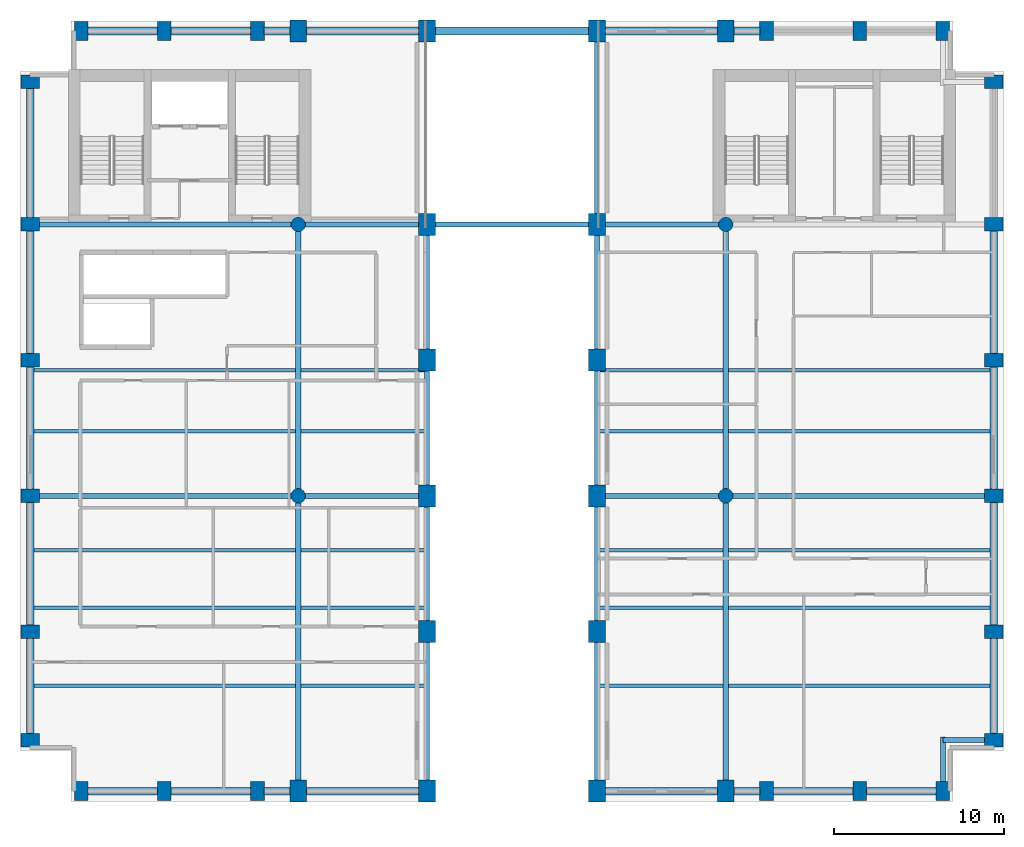
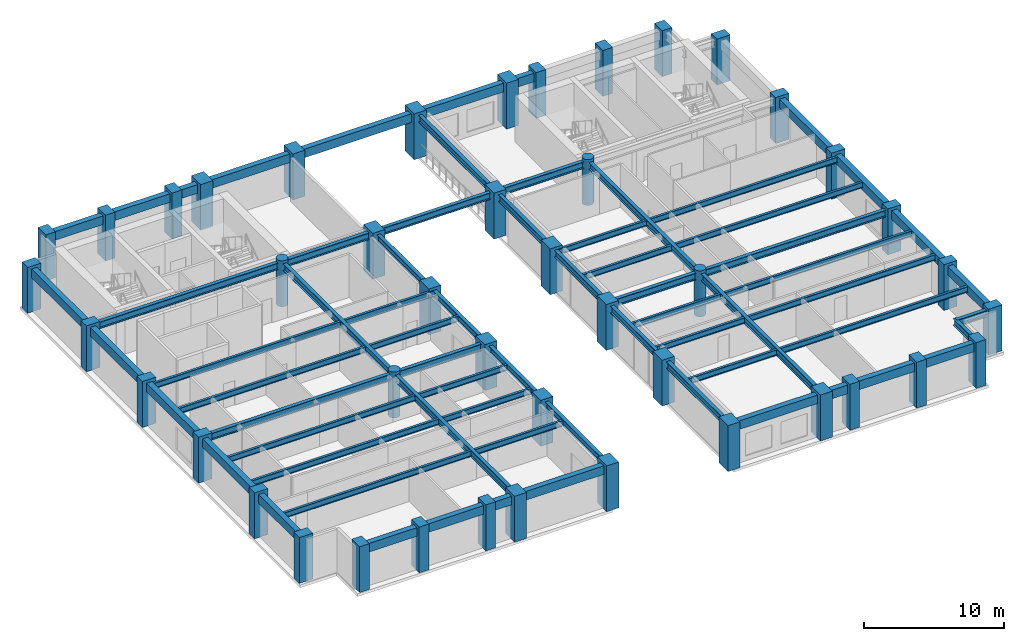
# One storey, part 1 of 8: 63 beams, 44 columns.
"""IFC4 building model written with IfcOpenShell, lengths in metres."""

from ifc_helpers import new_model, si_unit, direction, frame, origin, origin_2d, place, context, subcontext, project, spatial, rectangle, circle, i_section, extrude, material, material_profile, profile_set, type_object, element, save


model = new_model("IFC4")

# Units and contexts
model_context = context("Model", 3, precision=1e-05, world=origin(), true_north=direction((0.0, 1.0)))
body_context = subcontext(model_context, "Body", "Model", "MODEL_VIEW")
ifc_project = project(units=[si_unit("LENGTHUNIT", "METRE"), si_unit("AREAUNIT", "SQUARE_METRE"), si_unit("VOLUMEUNIT", "CUBIC_METRE"), si_unit("PLANEANGLEUNIT", "RADIAN"), si_unit("MASSUNIT", "GRAM", prefix="KILO")], contexts=[model_context])

# Site, building, storey
site_placement = place(None, origin())
site = spatial("IfcSite", under=ifc_project, at=site_placement, CompositionType="ELEMENT")
building_placement = place(site_placement, origin())
building = spatial("IfcBuilding", under=site, at=building_placement, Name="Sulina Concourse Tower", CompositionType="ELEMENT")
storey_placement = place(building_placement, frame((0.0, 0.0, 194.60009765625)))
storey = spatial("IfcBuildingStorey", under=building, at=storey_placement, Name="L47", CompositionType="ELEMENT", Elevation=194.60009765625)

# Columns
ifc_material_1 = material(Name="Precast concrete C60/75", Category="concrete")
ifc_material_profile_1 = material_profile(ifc_material_1, rectangle(XDim=0.800048828125, YDim=1.10009765625, at=origin_2d()), Name="PC 800x1100")
ifc_profile_set_1 = profile_set([ifc_material_profile_1], Name="Precast concrete C60/75")
column_type_1 = type_object("IfcColumnType", Name="Precast Tube Pier Zone 3 800x1100", PredefinedType="COLUMN", material=ifc_profile_set_1)
for number, where, z_axis, x_axis, name in (
    (1, (3.60009765625, 0.60009765625, 0.0), (0.0, 0.0, 1.0), (1.0, 0.0, 0.0), "L47 structural column TP-S-36"),
    (2, (3.60009765625, 45.39990234375, 0.0), (0.0, 0.0, 1.0), (1.0, 0.0, 0.0), "L47 structural column TP-N-36"),
    (3, (8.5, 0.60009765625, 0.0), (0.0, 0.0, 1.0), (1.0, 0.0, 0.0), "L47 structural column TP-S-85"),
    (4, (8.5, 45.39990234375, 0.0), (0.0, 0.0, 1.0), (1.0, 0.0, 0.0), "L47 structural column TP-N-85"),
    (5, (14.0, 0.60009765625, 0.0), (0.0, 0.0, 1.0), (1.0, 0.0, 0.0), "L47 structural column TP-S-140"),
    (6, (14.0, 45.39990234375, 0.0), (0.0, 0.0, 1.0), (1.0, 0.0, 0.0), "L47 structural column TP-N-140"),
    (7, (44.0, 0.60009765625, 0.0), (0.0, 0.0, 1.0), (1.0, 0.0, 0.0), "L47 structural column TP-S-440"),
    (8, (44.0, 45.39990234375, 0.0), (0.0, 0.0, 1.0), (1.0, 0.0, 0.0), "L47 structural column TP-N-440"),
    (9, (49.5, 0.60009765625, 0.0), (0.0, 0.0, 1.0), (1.0, 0.0, 0.0), "L47 structural column TP-S-495"),
    (10, (49.5, 45.39990234375, 0.0), (0.0, 0.0, 1.0), (1.0, 0.0, 0.0), "L47 structural column TP-N-495"),
    (11, (54.39990234375, 0.60009765625, 0.0), (0.0, 0.0, 1.0), (1.0, 0.0, 0.0), "L47 structural column TP-S-544"),
    (12, (54.39990234375, 45.39990234375, 0.0), (0.0, 0.0, 1.0), (1.0, 0.0, 0.0), "L47 structural column TP-N-544"),
    (13, (0.60009765625, 3.60009765625, 0.0), (0.0, 0.0, 1.0), (0.0, 1.0, 0.0), "L47 structural column TP-W-36"),
    (14, (57.39990234375, 3.60009765625, 0.0), (0.0, 0.0, 1.0), (0.0, 1.0, 0.0), "L47 structural column TP-E-36"),
    (15, (0.60009765625, 10.0, 0.0), (0.0, 0.0, 1.0), (0.0, 1.0, 0.0), "L47 structural column TP-W-100"),
    (16, (57.39990234375, 10.0, 0.0), (0.0, 0.0, 1.0), (0.0, 1.0, 0.0), "L47 structural column TP-E-100"),
    (17, (0.60009765625, 18.0, 0.0), (0.0, 0.0, 1.0), (0.0, 1.0, 0.0), "L47 structural column TP-W-180"),
    (18, (57.39990234375, 18.0, 0.0), (0.0, 0.0, 1.0), (0.0, 1.0, 0.0), "L47 structural column TP-E-180"),
    (19, (0.60009765625, 26.0, 0.0), (0.0, 0.0, 1.0), (0.0, 1.0, 0.0), "L47 structural column TP-W-260"),
    (20, (57.39990234375, 26.0, 0.0), (0.0, 0.0, 1.0), (0.0, 1.0, 0.0), "L47 structural column TP-E-260"),
    (21, (0.60009765625, 34.0, 0.0), (0.0, 0.0, 1.0), (0.0, 1.0, 0.0), "L47 structural column TP-W-340"),
    (22, (57.39990234375, 34.0, 0.0), (0.0, 0.0, 1.0), (0.0, 1.0, 0.0), "L47 structural column TP-E-340"),
    (23, (0.60009765625, 42.39990234375, 0.0), (0.0, 0.0, 1.0), (0.0, 1.0, 0.0), "L47 structural column TP-W-424"),
    (24, (57.39990234375, 42.39990234375, 0.0), (0.0, 0.0, 1.0), (0.0, 1.0, 0.0), "L47 structural column TP-E-424"),
):
    element("IfcColumn", number, at=place(storey_placement, frame(where, z_axis=z_axis, x_axis=x_axis)), inside=storey, type_object=column_type_1, Name=name, PredefinedType="COLUMN", context=body_context, shape_type="SweptSolid", body=[
        extrude(rectangle(XDim=0.800048828125, YDim=1.10009765625, at=origin_2d()), origin(), (0.0, 0.0, 1.0), 4.0),
    ])
ifc_material_2 = material(Name="Concrete C50/60", Category="concrete")
ifc_material_profile_2 = material_profile(ifc_material_2, circle(Radius=0.425048828125, at=origin_2d()), Name="RC D850")
ifc_profile_set_2 = profile_set([ifc_material_profile_2], Name="Concrete C50/60")
column_type_2 = type_object("IfcColumnType", Name="Upper Interior Circular Column D850", PredefinedType="COLUMN", material=ifc_profile_set_2)
for number, where, z_axis, x_axis, name in (
    (25, (16.39990234375, 18.0, 0.0), (0.0, 0.0, 1.0), (1.0, 0.0, 0.0), "L47 structural column IC-M-164"),
    (26, (16.39990234375, 34.0, 0.0), (0.0, 0.0, 1.0), (1.0, 0.0, 0.0), "L47 structural column IC-N-164"),
    (27, (41.60009765625, 18.0, 0.0), (0.0, 0.0, 1.0), (1.0, 0.0, 0.0), "L47 structural column IC-M-416"),
    (28, (41.60009765625, 34.0, 0.0), (0.0, 0.0, 1.0), (1.0, 0.0, 0.0), "L47 structural column IC-N-416"),
):
    element("IfcColumn", number, at=place(storey_placement, frame(where, z_axis=z_axis, x_axis=x_axis)), inside=storey, type_object=column_type_2, Name=name, PredefinedType="COLUMN", context=body_context, shape_type="SweptSolid", body=[
        extrude(circle(Radius=0.425048828125, at=origin_2d()), origin(), (0.0, 0.0, 1.0), 4.0),
    ])
ifc_material_3 = material(Name="Concrete C60/75", Category="concrete")
ifc_material_profile_3 = material_profile(ifc_material_3, rectangle(XDim=1.0, YDim=1.300048828125, at=origin_2d()), Name="RC 1000x1300")
ifc_profile_set_3 = profile_set([ifc_material_profile_3], Name="Concrete C60/75")
column_type_3 = type_object("IfcColumnType", Name="Upper Portal Column 1000x1300", PredefinedType="COLUMN", material=ifc_profile_set_3)
for number, where, z_axis, x_axis, name in (
    (29, (16.39990234375, 0.60009765625, 0.0), (0.0, 0.0, 1.0), (1.0, 0.0, 0.0), "L47 structural column TP-S-164"),
    (30, (16.39990234375, 45.39990234375, 0.0), (0.0, 0.0, 1.0), (1.0, 0.0, 0.0), "L47 structural column TP-N-164"),
    (31, (24.0, 0.60009765625, 0.0), (0.0, 0.0, 1.0), (1.0, 0.0, 0.0), "L47 structural column TP-S-240"),
    (32, (24.0, 45.39990234375, 0.0), (0.0, 0.0, 1.0), (1.0, 0.0, 0.0), "L47 structural column TP-N-240"),
    (33, (34.0, 0.60009765625, 0.0), (0.0, 0.0, 1.0), (1.0, 0.0, 0.0), "L47 structural column TP-S-340"),
    (34, (34.0, 45.39990234375, 0.0), (0.0, 0.0, 1.0), (1.0, 0.0, 0.0), "L47 structural column TP-N-340"),
    (35, (41.60009765625, 0.60009765625, 0.0), (0.0, 0.0, 1.0), (1.0, 0.0, 0.0), "L47 structural column TP-S-416"),
    (36, (41.60009765625, 45.39990234375, 0.0), (0.0, 0.0, 1.0), (1.0, 0.0, 0.0), "L47 structural column TP-N-416"),
    (37, (24.0, 10.0, 0.0), (0.0, 0.0, 1.0), (1.0, 0.0, 0.0), "L47 structural column UP-FW-10"),
    (38, (34.0, 10.0, 0.0), (0.0, 0.0, 1.0), (1.0, 0.0, 0.0), "L47 structural column UP-FE-10"),
    (39, (24.0, 18.0, 0.0), (0.0, 0.0, 1.0), (1.0, 0.0, 0.0), "L47 structural column UP-FW-18"),
    (40, (34.0, 18.0, 0.0), (0.0, 0.0, 1.0), (1.0, 0.0, 0.0), "L47 structural column UP-FE-18"),
    (41, (24.0, 26.0, 0.0), (0.0, 0.0, 1.0), (1.0, 0.0, 0.0), "L47 structural column UP-FW-26"),
    (42, (34.0, 26.0, 0.0), (0.0, 0.0, 1.0), (1.0, 0.0, 0.0), "L47 structural column UP-FE-26"),
    (43, (24.0, 34.0, 0.0), (0.0, 0.0, 1.0), (1.0, 0.0, 0.0), "L47 structural column UP-FW-34"),
    (44, (34.0, 34.0, 0.0), (0.0, 0.0, 1.0), (1.0, 0.0, 0.0), "L47 structural column UP-FE-34"),
):
    element("IfcColumn", number, at=place(storey_placement, frame(where, z_axis=z_axis, x_axis=x_axis)), inside=storey, type_object=column_type_3, Name=name, PredefinedType="COLUMN", context=body_context, shape_type="SweptSolid", body=[
        extrude(rectangle(XDim=1.0, YDim=1.300048828125, at=origin_2d()), origin(), (0.0, 0.0, 1.0), 4.0),
    ])

# Beams
ifc_material_4 = material(Name="Steel S355", Category="steel")
ifc_material_profile_4 = material_profile(ifc_material_4, i_section(OverallWidth=0.199951171875, OverallDepth=0.5, WebThickness=0.01025390625, FlangeThickness=0.01611328125, at=origin_2d()), Name="IPE 500")
ifc_profile_set_4 = profile_set([ifc_material_profile_4], Name="Steel S355")
beam_type_1 = type_object("IfcBeamType", Name="Composite Floor Joist IPE500", PredefinedType="JOIST", material=ifc_profile_set_4)
beam_1_placement = place(storey_placement, frame((0.824951171875, 6.800048828125, 3.5), z_axis=(1.0, 0.0, 0.0), x_axis=(0.0, 1.0, 0.0)))
element("IfcBeam", 45, at=beam_1_placement, inside=storey, type_object=beam_type_1, Name="FJ-J06-1-L47", PredefinedType="JOIST", context=body_context, shape_type="SweptSolid", body=[
    extrude(i_section(OverallWidth=0.199951171875, OverallDepth=0.5, WebThickness=0.01025390625, FlangeThickness=0.01611328125, at=origin_2d()), origin(), (0.0, 0.0, 1.0), 15.425048828125),
])
for number, where, z_axis, x_axis, name in (
    (46, (16.550048828125, 6.800048828125, 3.5), (1.0, 0.0, 0.0), (0.0, 1.0, 0.0), "FJ-J06-2-L47"),
    (47, (34.14990234375, 6.800048828125, 3.5), (1.0, 0.0, 0.0), (0.0, 1.0, 0.0), "FJ-J06-4-L47"),
):
    element("IfcBeam", number, at=place(storey_placement, frame(where, z_axis=z_axis, x_axis=x_axis)), inside=storey, type_object=beam_type_1, Name=name, PredefinedType="JOIST", context=body_context, shape_type="SweptSolid", body=[
        extrude(i_section(OverallWidth=0.199951171875, OverallDepth=0.5, WebThickness=0.01025390625, FlangeThickness=0.01611328125, at=origin_2d()), origin(), (0.0, 0.0, 1.0), 7.300048828125),
    ])
for number, where, z_axis, x_axis, name in (
    (48, (41.75, 6.800048828125, 3.5), (1.0, 0.0, 0.0), (0.0, 1.0, 0.0), "FJ-J06-5-L47"),
    (49, (0.824951171875, 11.39990234375, 3.5), (1.0, 0.0, 0.0), (0.0, 1.0, 0.0), "FJ-J11-1-L47"),
):
    element("IfcBeam", number, at=place(storey_placement, frame(where, z_axis=z_axis, x_axis=x_axis)), inside=storey, type_object=beam_type_1, Name=name, PredefinedType="JOIST", context=body_context, shape_type="SweptSolid", body=[
        extrude(i_section(OverallWidth=0.199951171875, OverallDepth=0.5, WebThickness=0.01025390625, FlangeThickness=0.01611328125, at=origin_2d()), origin(), (0.0, 0.0, 1.0), 15.425048828125),
    ])
for number, where, z_axis, x_axis, name in (
    (50, (16.550048828125, 11.39990234375, 3.5), (1.0, 0.0, 0.0), (0.0, 1.0, 0.0), "FJ-J11-2-L47"),
    (51, (34.14990234375, 11.39990234375, 3.5), (1.0, 0.0, 0.0), (0.0, 1.0, 0.0), "FJ-J11-4-L47"),
):
    element("IfcBeam", number, at=place(storey_placement, frame(where, z_axis=z_axis, x_axis=x_axis)), inside=storey, type_object=beam_type_1, Name=name, PredefinedType="JOIST", context=body_context, shape_type="SweptSolid", body=[
        extrude(i_section(OverallWidth=0.199951171875, OverallDepth=0.5, WebThickness=0.01025390625, FlangeThickness=0.01611328125, at=origin_2d()), origin(), (0.0, 0.0, 1.0), 7.300048828125),
    ])
for number, where, z_axis, x_axis, name in (
    (52, (41.75, 11.39990234375, 3.5), (1.0, 0.0, 0.0), (0.0, 1.0, 0.0), "FJ-J11-5-L47"),
    (53, (0.824951171875, 14.800048828125, 3.5), (1.0, 0.0, 0.0), (0.0, 1.0, 0.0), "FJ-J15-1-L47"),
):
    element("IfcBeam", number, at=place(storey_placement, frame(where, z_axis=z_axis, x_axis=x_axis)), inside=storey, type_object=beam_type_1, Name=name, PredefinedType="JOIST", context=body_context, shape_type="SweptSolid", body=[
        extrude(i_section(OverallWidth=0.199951171875, OverallDepth=0.5, WebThickness=0.01025390625, FlangeThickness=0.01611328125, at=origin_2d()), origin(), (0.0, 0.0, 1.0), 15.425048828125),
    ])
for number, where, z_axis, x_axis, name in (
    (54, (16.550048828125, 14.800048828125, 3.5), (1.0, 0.0, 0.0), (0.0, 1.0, 0.0), "FJ-J15-2-L47"),
    (55, (34.14990234375, 14.800048828125, 3.5), (1.0, 0.0, 0.0), (0.0, 1.0, 0.0), "FJ-J15-4-L47"),
):
    element("IfcBeam", number, at=place(storey_placement, frame(where, z_axis=z_axis, x_axis=x_axis)), inside=storey, type_object=beam_type_1, Name=name, PredefinedType="JOIST", context=body_context, shape_type="SweptSolid", body=[
        extrude(i_section(OverallWidth=0.199951171875, OverallDepth=0.5, WebThickness=0.01025390625, FlangeThickness=0.01611328125, at=origin_2d()), origin(), (0.0, 0.0, 1.0), 7.300048828125),
    ])
for number, where, z_axis, x_axis, name in (
    (56, (41.75, 14.800048828125, 3.5), (1.0, 0.0, 0.0), (0.0, 1.0, 0.0), "FJ-J15-5-L47"),
    (57, (0.824951171875, 21.800048828125, 3.5), (1.0, 0.0, 0.0), (0.0, 1.0, 0.0), "FJ-J22-1-L47"),
):
    element("IfcBeam", number, at=place(storey_placement, frame(where, z_axis=z_axis, x_axis=x_axis)), inside=storey, type_object=beam_type_1, Name=name, PredefinedType="JOIST", context=body_context, shape_type="SweptSolid", body=[
        extrude(i_section(OverallWidth=0.199951171875, OverallDepth=0.5, WebThickness=0.01025390625, FlangeThickness=0.01611328125, at=origin_2d()), origin(), (0.0, 0.0, 1.0), 15.425048828125),
    ])
for number, where, z_axis, x_axis, name in (
    (58, (16.550048828125, 21.800048828125, 3.5), (1.0, 0.0, 0.0), (0.0, 1.0, 0.0), "FJ-J22-2-L47"),
    (59, (34.14990234375, 21.800048828125, 3.5), (1.0, 0.0, 0.0), (0.0, 1.0, 0.0), "FJ-J22-4-L47"),
):
    element("IfcBeam", number, at=place(storey_placement, frame(where, z_axis=z_axis, x_axis=x_axis)), inside=storey, type_object=beam_type_1, Name=name, PredefinedType="JOIST", context=body_context, shape_type="SweptSolid", body=[
        extrude(i_section(OverallWidth=0.199951171875, OverallDepth=0.5, WebThickness=0.01025390625, FlangeThickness=0.01611328125, at=origin_2d()), origin(), (0.0, 0.0, 1.0), 7.300048828125),
    ])
for number, where, z_axis, x_axis, name in (
    (60, (41.75, 21.800048828125, 3.5), (1.0, 0.0, 0.0), (0.0, 1.0, 0.0), "FJ-J22-5-L47"),
    (61, (0.824951171875, 25.39990234375, 3.5), (1.0, 0.0, 0.0), (0.0, 1.0, 0.0), "FJ-J25-1-L47"),
):
    element("IfcBeam", number, at=place(storey_placement, frame(where, z_axis=z_axis, x_axis=x_axis)), inside=storey, type_object=beam_type_1, Name=name, PredefinedType="JOIST", context=body_context, shape_type="SweptSolid", body=[
        extrude(i_section(OverallWidth=0.199951171875, OverallDepth=0.5, WebThickness=0.01025390625, FlangeThickness=0.01611328125, at=origin_2d()), origin(), (0.0, 0.0, 1.0), 15.425048828125),
    ])
for number, where, z_axis, x_axis, name in (
    (62, (16.550048828125, 25.39990234375, 3.5), (1.0, 0.0, 0.0), (0.0, 1.0, 0.0), "FJ-J25-2-L47"),
    (63, (34.14990234375, 25.39990234375, 3.5), (1.0, 0.0, 0.0), (0.0, 1.0, 0.0), "FJ-J25-4-L47"),
):
    element("IfcBeam", number, at=place(storey_placement, frame(where, z_axis=z_axis, x_axis=x_axis)), inside=storey, type_object=beam_type_1, Name=name, PredefinedType="JOIST", context=body_context, shape_type="SweptSolid", body=[
        extrude(i_section(OverallWidth=0.199951171875, OverallDepth=0.5, WebThickness=0.01025390625, FlangeThickness=0.01611328125, at=origin_2d()), origin(), (0.0, 0.0, 1.0), 7.300048828125),
    ])
beam_2_placement = place(storey_placement, frame((41.75, 25.39990234375, 3.5), z_axis=(1.0, 0.0, 0.0), x_axis=(0.0, 1.0, 0.0)))
element("IfcBeam", 64, at=beam_2_placement, inside=storey, type_object=beam_type_1, Name="FJ-J25-5-L47", PredefinedType="JOIST", context=body_context, shape_type="SweptSolid", body=[
    extrude(i_section(OverallWidth=0.199951171875, OverallDepth=0.5, WebThickness=0.01025390625, FlangeThickness=0.01611328125, at=origin_2d()), origin(), (0.0, 0.0, 1.0), 15.425048828125),
])
ifc_material_5 = material(Name="Steel S355", Category="steel")
ifc_material_profile_5 = material_profile(ifc_material_5, i_section(OverallWidth=0.300048828125, OverallDepth=0.60009765625, WebThickness=0.015380859375, FlangeThickness=0.030029296875, at=origin_2d()), Name="HE 600 B")
ifc_profile_set_5 = profile_set([ifc_material_profile_5], Name="Steel S355")
beam_type_2 = type_object("IfcBeamType", Name="Floor Primary Girder Zone 3 HE600B", PredefinedType="BEAM", material=ifc_profile_set_5)
beam_3_placement = place(storey_placement, frame((54.39990234375, 3.60009765625, 3.449951171875), z_axis=(1.0, 0.0, 0.0), x_axis=(0.0, 1.0, 0.0)))
element("IfcBeam", 65, at=beam_3_placement, inside=storey, type_object=beam_type_2, Name="TIE-SE-L47", PredefinedType="BEAM", context=body_context, shape_type="SweptSolid", body=[
    extrude(i_section(OverallWidth=0.300048828125, OverallDepth=0.60009765625, WebThickness=0.015380859375, FlangeThickness=0.030029296875, at=origin_2d()), origin(), (0.0, 0.0, 1.0), 2.6201171875),
])
beam_4_placement = place(storey_placement, frame((54.39990234375, 0.97998046875, 3.449951171875), z_axis=(0.0, 1.0, 0.0), x_axis=(-1.0, 0.0, 0.0)))
element("IfcBeam", 66, at=beam_4_placement, inside=storey, type_object=beam_type_2, Name="TIE-SES-L47", PredefinedType="BEAM", context=body_context, shape_type="SweptSolid", body=[
    extrude(i_section(OverallWidth=0.300048828125, OverallDepth=0.60009765625, WebThickness=0.015380859375, FlangeThickness=0.030029296875, at=origin_2d()), origin(), (0.0, 0.0, 1.0), 2.820068359375),
])
beam_5_placement = place(storey_placement, frame((0.97998046875, 18.0, 3.449951171875), z_axis=(1.0, 0.0, 0.0), x_axis=(0.0, 1.0, 0.0)))
element("IfcBeam", 67, at=beam_5_placement, inside=storey, type_object=beam_type_2, Name="FG-EW1-L47", PredefinedType="BEAM", context=body_context, shape_type="SweptSolid", body=[
    extrude(i_section(OverallWidth=0.300048828125, OverallDepth=0.60009765625, WebThickness=0.015380859375, FlangeThickness=0.030029296875, at=origin_2d()), origin(), (0.0, 0.0, 1.0), 15.01513671875),
])
for number, where, z_axis, x_axis, name in (
    (68, (16.804931640625, 18.0, 3.449951171875), (1.0, 0.0, 0.0), (0.0, 1.0, 0.0), "FG-EW2-L47"),
    (69, (34.47998046875, 18.0, 3.449951171875), (1.0, 0.0, 0.0), (0.0, 1.0, 0.0), "FG-EW4-L47"),
):
    element("IfcBeam", number, at=place(storey_placement, frame(where, z_axis=z_axis, x_axis=x_axis)), inside=storey, type_object=beam_type_2, Name=name, PredefinedType="BEAM", context=body_context, shape_type="SweptSolid", body=[
        extrude(i_section(OverallWidth=0.300048828125, OverallDepth=0.60009765625, WebThickness=0.015380859375, FlangeThickness=0.030029296875, at=origin_2d()), origin(), (0.0, 0.0, 1.0), 6.715087890625),
    ])
for number, where, z_axis, x_axis, name in (
    (70, (42.0048828125, 18.0, 3.449951171875), (1.0, 0.0, 0.0), (0.0, 1.0, 0.0), "FG-EW5-L47"),
    (71, (0.97998046875, 34.0, 3.449951171875), (1.0, 0.0, 0.0), (0.0, 1.0, 0.0), "FG-EWN1-L47"),
):
    element("IfcBeam", number, at=place(storey_placement, frame(where, z_axis=z_axis, x_axis=x_axis)), inside=storey, type_object=beam_type_2, Name=name, PredefinedType="BEAM", context=body_context, shape_type="SweptSolid", body=[
        extrude(i_section(OverallWidth=0.300048828125, OverallDepth=0.60009765625, WebThickness=0.015380859375, FlangeThickness=0.030029296875, at=origin_2d()), origin(), (0.0, 0.0, 1.0), 15.01513671875),
    ])
beam_6_placement = place(storey_placement, frame((16.804931640625, 34.0, 3.449951171875), z_axis=(1.0, 0.0, 0.0), x_axis=(0.0, 1.0, 0.0)))
element("IfcBeam", 72, at=beam_6_placement, inside=storey, type_object=beam_type_2, Name="FG-EWN2-L47", PredefinedType="BEAM", context=body_context, shape_type="SweptSolid", body=[
    extrude(i_section(OverallWidth=0.300048828125, OverallDepth=0.60009765625, WebThickness=0.015380859375, FlangeThickness=0.030029296875, at=origin_2d()), origin(), (0.0, 0.0, 1.0), 6.715087890625),
])
beam_7_placement = place(storey_placement, frame((24.47998046875, 34.0, 3.449951171875), z_axis=(1.0, 0.0, 0.0), x_axis=(0.0, 1.0, 0.0)))
element("IfcBeam", 73, at=beam_7_placement, inside=storey, type_object=beam_type_2, Name="FG-EWN3-L47", PredefinedType="BEAM", context=body_context, shape_type="SweptSolid", body=[
    extrude(i_section(OverallWidth=0.300048828125, OverallDepth=0.60009765625, WebThickness=0.015380859375, FlangeThickness=0.030029296875, at=origin_2d()), origin(), (0.0, 0.0, 1.0), 9.0400390625),
])
beam_8_placement = place(storey_placement, frame((34.47998046875, 34.0, 3.449951171875), z_axis=(1.0, 0.0, 0.0), x_axis=(0.0, 1.0, 0.0)))
element("IfcBeam", 74, at=beam_8_placement, inside=storey, type_object=beam_type_2, Name="FG-EWN4-L47", PredefinedType="BEAM", context=body_context, shape_type="SweptSolid", body=[
    extrude(i_section(OverallWidth=0.300048828125, OverallDepth=0.60009765625, WebThickness=0.015380859375, FlangeThickness=0.030029296875, at=origin_2d()), origin(), (0.0, 0.0, 1.0), 6.715087890625),
])
beam_9_placement = place(storey_placement, frame((16.39990234375, 1.080078125, 3.449951171875), z_axis=(0.0, 1.0, 0.0), x_axis=(-1.0, 0.0, 0.0)))
element("IfcBeam", 75, at=beam_9_placement, inside=storey, type_object=beam_type_2, Name="FG-NSA-16-L47", PredefinedType="BEAM", context=body_context, shape_type="SweptSolid", body=[
    extrude(i_section(OverallWidth=0.300048828125, OverallDepth=0.60009765625, WebThickness=0.015380859375, FlangeThickness=0.030029296875, at=origin_2d()), origin(), (0.0, 0.0, 1.0), 16.514892578125),
])
beam_10_placement = place(storey_placement, frame((16.39990234375, 18.405029296875, 3.449951171875), z_axis=(0.0, 1.0, 0.0), x_axis=(-1.0, 0.0, 0.0)))
element("IfcBeam", 76, at=beam_10_placement, inside=storey, type_object=beam_type_2, Name="FG-NSB-16-L47", PredefinedType="BEAM", context=body_context, shape_type="SweptSolid", body=[
    extrude(i_section(OverallWidth=0.300048828125, OverallDepth=0.60009765625, WebThickness=0.015380859375, FlangeThickness=0.030029296875, at=origin_2d()), origin(), (0.0, 0.0, 1.0), 15.18994140625),
])
beam_11_placement = place(storey_placement, frame((24.0, 1.080078125, 3.449951171875), z_axis=(0.0, 1.0, 0.0), x_axis=(-1.0, 0.0, 0.0)))
element("IfcBeam", 77, at=beam_11_placement, inside=storey, type_object=beam_type_2, Name="FG-NSA-24-L47", PredefinedType="BEAM", context=body_context, shape_type="SweptSolid", body=[
    extrude(i_section(OverallWidth=0.300048828125, OverallDepth=0.60009765625, WebThickness=0.015380859375, FlangeThickness=0.030029296875, at=origin_2d()), origin(), (0.0, 0.0, 1.0), 16.43994140625),
])
beam_12_placement = place(storey_placement, frame((24.0, 18.47998046875, 3.449951171875), z_axis=(0.0, 1.0, 0.0), x_axis=(-1.0, 0.0, 0.0)))
element("IfcBeam", 78, at=beam_12_placement, inside=storey, type_object=beam_type_2, Name="FG-NSB-24-L47", PredefinedType="BEAM", context=body_context, shape_type="SweptSolid", body=[
    extrude(i_section(OverallWidth=0.300048828125, OverallDepth=0.60009765625, WebThickness=0.015380859375, FlangeThickness=0.030029296875, at=origin_2d()), origin(), (0.0, 0.0, 1.0), 15.0400390625),
])
beam_13_placement = place(storey_placement, frame((34.0, 1.080078125, 3.449951171875), z_axis=(0.0, 1.0, 0.0), x_axis=(-1.0, 0.0, 0.0)))
element("IfcBeam", 79, at=beam_13_placement, inside=storey, type_object=beam_type_2, Name="FG-NSA-34-L47", PredefinedType="BEAM", context=body_context, shape_type="SweptSolid", body=[
    extrude(i_section(OverallWidth=0.300048828125, OverallDepth=0.60009765625, WebThickness=0.015380859375, FlangeThickness=0.030029296875, at=origin_2d()), origin(), (0.0, 0.0, 1.0), 16.43994140625),
])
beam_14_placement = place(storey_placement, frame((34.0, 18.47998046875, 3.449951171875), z_axis=(0.0, 1.0, 0.0), x_axis=(-1.0, 0.0, 0.0)))
element("IfcBeam", 80, at=beam_14_placement, inside=storey, type_object=beam_type_2, Name="FG-NSB-34-L47", PredefinedType="BEAM", context=body_context, shape_type="SweptSolid", body=[
    extrude(i_section(OverallWidth=0.300048828125, OverallDepth=0.60009765625, WebThickness=0.015380859375, FlangeThickness=0.030029296875, at=origin_2d()), origin(), (0.0, 0.0, 1.0), 15.0400390625),
])
beam_15_placement = place(storey_placement, frame((34.0, 34.47998046875, 3.449951171875), z_axis=(0.0, 1.0, 0.0), x_axis=(-1.0, 0.0, 0.0)))
element("IfcBeam", 81, at=beam_15_placement, inside=storey, type_object=beam_type_2, Name="FG-NSC-34-L47", PredefinedType="BEAM", context=body_context, shape_type="SweptSolid", body=[
    extrude(i_section(OverallWidth=0.300048828125, OverallDepth=0.60009765625, WebThickness=0.015380859375, FlangeThickness=0.030029296875, at=origin_2d()), origin(), (0.0, 0.0, 1.0), 10.43994140625),
])
beam_16_placement = place(storey_placement, frame((41.60009765625, 1.080078125, 3.449951171875), z_axis=(0.0, 1.0, 0.0), x_axis=(-1.0, 0.0, 0.0)))
element("IfcBeam", 82, at=beam_16_placement, inside=storey, type_object=beam_type_2, Name="FG-NSA-41-L47", PredefinedType="BEAM", context=body_context, shape_type="SweptSolid", body=[
    extrude(i_section(OverallWidth=0.300048828125, OverallDepth=0.60009765625, WebThickness=0.015380859375, FlangeThickness=0.030029296875, at=origin_2d()), origin(), (0.0, 0.0, 1.0), 16.514892578125),
])
beam_17_placement = place(storey_placement, frame((41.60009765625, 18.405029296875, 3.449951171875), z_axis=(0.0, 1.0, 0.0), x_axis=(-1.0, 0.0, 0.0)))
element("IfcBeam", 83, at=beam_17_placement, inside=storey, type_object=beam_type_2, Name="FG-NSB-41-L47", PredefinedType="BEAM", context=body_context, shape_type="SweptSolid", body=[
    extrude(i_section(OverallWidth=0.300048828125, OverallDepth=0.60009765625, WebThickness=0.015380859375, FlangeThickness=0.030029296875, at=origin_2d()), origin(), (0.0, 0.0, 1.0), 15.18994140625),
])
ifc_material_6 = material(Name="Precast concrete C50/60", Category="concrete")
ifc_material_profile_6 = material_profile(ifc_material_6, rectangle(XDim=0.449951171875, YDim=0.75, at=origin_2d()), Name="RC 450x750")
ifc_profile_set_6 = profile_set([ifc_material_profile_6], Name="Precast concrete C50/60")
beam_type_3 = type_object("IfcBeamType", Name="Upper Precast Spandrel Edge Beam 450x750", PredefinedType="BEAM", material=ifc_profile_set_6)
beam_18_placement = place(storey_placement, frame((3.97998046875, 0.60009765625, 3.375), z_axis=(1.0, 0.0, 0.0), x_axis=(0.0, 1.0, 0.0)))
element("IfcBeam", 84, at=beam_18_placement, inside=storey, type_object=beam_type_3, Name="SP-S1-L47", PredefinedType="BEAM", context=body_context, shape_type="SweptSolid", body=[
    extrude(rectangle(XDim=0.449951171875, YDim=0.75, at=origin_2d()), origin(), (0.0, 0.0, 1.0), 4.14013671875),
])
beam_19_placement = place(storey_placement, frame((8.8798828125, 0.60009765625, 3.375), z_axis=(1.0, 0.0, 0.0), x_axis=(0.0, 1.0, 0.0)))
element("IfcBeam", 85, at=beam_19_placement, inside=storey, type_object=beam_type_3, Name="SP-S2-L47", PredefinedType="BEAM", context=body_context, shape_type="SweptSolid", body=[
    extrude(rectangle(XDim=0.449951171875, YDim=0.75, at=origin_2d()), origin(), (0.0, 0.0, 1.0), 4.740234375),
])
beam_20_placement = place(storey_placement, frame((14.3798828125, 0.60009765625, 3.375), z_axis=(1.0, 0.0, 0.0), x_axis=(0.0, 1.0, 0.0)))
element("IfcBeam", 86, at=beam_20_placement, inside=storey, type_object=beam_type_3, Name="SP-S3-L47", PredefinedType="BEAM", context=body_context, shape_type="SweptSolid", body=[
    extrude(rectangle(XDim=0.449951171875, YDim=0.75, at=origin_2d()), origin(), (0.0, 0.0, 1.0), 1.5400390625),
])
for number, where, z_axis, x_axis, name in (
    (87, (16.8798828125, 0.60009765625, 3.375), (1.0, 0.0, 0.0), (0.0, 1.0, 0.0), "SP-S4-L47"),
    (88, (34.47998046875, 0.60009765625, 3.375), (1.0, 0.0, 0.0), (0.0, 1.0, 0.0), "SP-S6-L47"),
):
    element("IfcBeam", number, at=place(storey_placement, frame(where, z_axis=z_axis, x_axis=x_axis)), inside=storey, type_object=beam_type_3, Name=name, PredefinedType="BEAM", context=body_context, shape_type="SweptSolid", body=[
        extrude(rectangle(XDim=0.449951171875, YDim=0.75, at=origin_2d()), origin(), (0.0, 0.0, 1.0), 6.64013671875),
    ])
beam_21_placement = place(storey_placement, frame((42.080078125, 0.60009765625, 3.375), z_axis=(1.0, 0.0, 0.0), x_axis=(0.0, 1.0, 0.0)))
element("IfcBeam", 89, at=beam_21_placement, inside=storey, type_object=beam_type_3, Name="SP-S7-L47", PredefinedType="BEAM", context=body_context, shape_type="SweptSolid", body=[
    extrude(rectangle(XDim=0.449951171875, YDim=0.75, at=origin_2d()), origin(), (0.0, 0.0, 1.0), 1.5400390625),
])
beam_22_placement = place(storey_placement, frame((44.3798828125, 0.60009765625, 3.375), z_axis=(1.0, 0.0, 0.0), x_axis=(0.0, 1.0, 0.0)))
element("IfcBeam", 90, at=beam_22_placement, inside=storey, type_object=beam_type_3, Name="SP-S8-L47", PredefinedType="BEAM", context=body_context, shape_type="SweptSolid", body=[
    extrude(rectangle(XDim=0.449951171875, YDim=0.75, at=origin_2d()), origin(), (0.0, 0.0, 1.0), 4.740234375),
])
for number, where, z_axis, x_axis, name in (
    (91, (49.8798828125, 0.60009765625, 3.375), (1.0, 0.0, 0.0), (0.0, 1.0, 0.0), "SP-S9-L47"),
    (92, (3.97998046875, 45.39990234375, 3.375), (1.0, 0.0, 0.0), (0.0, 1.0, 0.0), "SP-N1-L47"),
):
    element("IfcBeam", number, at=place(storey_placement, frame(where, z_axis=z_axis, x_axis=x_axis)), inside=storey, type_object=beam_type_3, Name=name, PredefinedType="BEAM", context=body_context, shape_type="SweptSolid", body=[
        extrude(rectangle(XDim=0.449951171875, YDim=0.75, at=origin_2d()), origin(), (0.0, 0.0, 1.0), 4.14013671875),
    ])
beam_23_placement = place(storey_placement, frame((8.8798828125, 45.39990234375, 3.375), z_axis=(1.0, 0.0, 0.0), x_axis=(0.0, 1.0, 0.0)))
element("IfcBeam", 93, at=beam_23_placement, inside=storey, type_object=beam_type_3, Name="SP-N2-L47", PredefinedType="BEAM", context=body_context, shape_type="SweptSolid", body=[
    extrude(rectangle(XDim=0.449951171875, YDim=0.75, at=origin_2d()), origin(), (0.0, 0.0, 1.0), 4.740234375),
])
beam_24_placement = place(storey_placement, frame((14.3798828125, 45.39990234375, 3.375), z_axis=(1.0, 0.0, 0.0), x_axis=(0.0, 1.0, 0.0)))
element("IfcBeam", 94, at=beam_24_placement, inside=storey, type_object=beam_type_3, Name="SP-N3-L47", PredefinedType="BEAM", context=body_context, shape_type="SweptSolid", body=[
    extrude(rectangle(XDim=0.449951171875, YDim=0.75, at=origin_2d()), origin(), (0.0, 0.0, 1.0), 1.5400390625),
])
beam_25_placement = place(storey_placement, frame((16.8798828125, 45.39990234375, 3.375), z_axis=(1.0, 0.0, 0.0), x_axis=(0.0, 1.0, 0.0)))
element("IfcBeam", 95, at=beam_25_placement, inside=storey, type_object=beam_type_3, Name="SP-N4-L47", PredefinedType="BEAM", context=body_context, shape_type="SweptSolid", body=[
    extrude(rectangle(XDim=0.449951171875, YDim=0.75, at=origin_2d()), origin(), (0.0, 0.0, 1.0), 6.64013671875),
])
beam_26_placement = place(storey_placement, frame((24.47998046875, 45.39990234375, 3.375), z_axis=(1.0, 0.0, 0.0), x_axis=(0.0, 1.0, 0.0)))
element("IfcBeam", 96, at=beam_26_placement, inside=storey, type_object=beam_type_3, Name="SP-N5-L47", PredefinedType="BEAM", context=body_context, shape_type="SweptSolid", body=[
    extrude(rectangle(XDim=0.449951171875, YDim=0.75, at=origin_2d()), origin(), (0.0, 0.0, 1.0), 9.0400390625),
])
beam_27_placement = place(storey_placement, frame((34.47998046875, 45.39990234375, 3.375), z_axis=(1.0, 0.0, 0.0), x_axis=(0.0, 1.0, 0.0)))
element("IfcBeam", 97, at=beam_27_placement, inside=storey, type_object=beam_type_3, Name="SP-N6-L47", PredefinedType="BEAM", context=body_context, shape_type="SweptSolid", body=[
    extrude(rectangle(XDim=0.449951171875, YDim=0.75, at=origin_2d()), origin(), (0.0, 0.0, 1.0), 6.64013671875),
])
beam_28_placement = place(storey_placement, frame((42.080078125, 45.39990234375, 3.375), z_axis=(1.0, 0.0, 0.0), x_axis=(0.0, 1.0, 0.0)))
element("IfcBeam", 98, at=beam_28_placement, inside=storey, type_object=beam_type_3, Name="SP-N7-L47", PredefinedType="BEAM", context=body_context, shape_type="SweptSolid", body=[
    extrude(rectangle(XDim=0.449951171875, YDim=0.75, at=origin_2d()), origin(), (0.0, 0.0, 1.0), 1.5400390625),
])
beam_29_placement = place(storey_placement, frame((0.60009765625, 3.97998046875, 3.375), z_axis=(0.0, 1.0, 0.0), x_axis=(-1.0, 0.0, 0.0)))
element("IfcBeam", 99, at=beam_29_placement, inside=storey, type_object=beam_type_3, Name="SP-W1-L47", PredefinedType="BEAM", context=body_context, shape_type="SweptSolid", body=[
    extrude(rectangle(XDim=0.449951171875, YDim=0.75, at=origin_2d()), origin(), (0.0, 0.0, 1.0), 5.64013671875),
])
for number, where, z_axis, x_axis, name in (
    (100, (0.60009765625, 10.3798828125, 3.375), (0.0, 1.0, 0.0), (-1.0, 0.0, 0.0), "SP-W2-L47"),
    (101, (0.60009765625, 18.3798828125, 3.375), (0.0, 1.0, 0.0), (-1.0, 0.0, 0.0), "SP-W3-L47"),
    (102, (0.60009765625, 26.3798828125, 3.375), (0.0, 1.0, 0.0), (-1.0, 0.0, 0.0), "SP-W4-L47"),
):
    element("IfcBeam", number, at=place(storey_placement, frame(where, z_axis=z_axis, x_axis=x_axis)), inside=storey, type_object=beam_type_3, Name=name, PredefinedType="BEAM", context=body_context, shape_type="SweptSolid", body=[
        extrude(rectangle(XDim=0.449951171875, YDim=0.75, at=origin_2d()), origin(), (0.0, 0.0, 1.0), 7.240234375),
    ])
beam_30_placement = place(storey_placement, frame((0.60009765625, 34.3798828125, 3.375), z_axis=(0.0, 1.0, 0.0), x_axis=(-1.0, 0.0, 0.0)))
element("IfcBeam", 103, at=beam_30_placement, inside=storey, type_object=beam_type_3, Name="SP-W5-L47", PredefinedType="BEAM", context=body_context, shape_type="SweptSolid", body=[
    extrude(rectangle(XDim=0.449951171875, YDim=0.75, at=origin_2d()), origin(), (0.0, 0.0, 1.0), 7.64013671875),
])
beam_31_placement = place(storey_placement, frame((57.39990234375, 3.97998046875, 3.375), z_axis=(0.0, 1.0, 0.0), x_axis=(-1.0, 0.0, 0.0)))
element("IfcBeam", 104, at=beam_31_placement, inside=storey, type_object=beam_type_3, Name="SP-E1-L47", PredefinedType="BEAM", context=body_context, shape_type="SweptSolid", body=[
    extrude(rectangle(XDim=0.449951171875, YDim=0.75, at=origin_2d()), origin(), (0.0, 0.0, 1.0), 5.64013671875),
])
for number, where, z_axis, x_axis, name in (
    (105, (57.39990234375, 10.3798828125, 3.375), (0.0, 1.0, 0.0), (-1.0, 0.0, 0.0), "SP-E2-L47"),
    (106, (57.39990234375, 18.3798828125, 3.375), (0.0, 1.0, 0.0), (-1.0, 0.0, 0.0), "SP-E3-L47"),
    (107, (57.39990234375, 26.3798828125, 3.375), (0.0, 1.0, 0.0), (-1.0, 0.0, 0.0), "SP-E4-L47"),
):
    element("IfcBeam", number, at=place(storey_placement, frame(where, z_axis=z_axis, x_axis=x_axis)), inside=storey, type_object=beam_type_3, Name=name, PredefinedType="BEAM", context=body_context, shape_type="SweptSolid", body=[
        extrude(rectangle(XDim=0.449951171875, YDim=0.75, at=origin_2d()), origin(), (0.0, 0.0, 1.0), 7.240234375),
    ])

save(model, "model.ifc")
